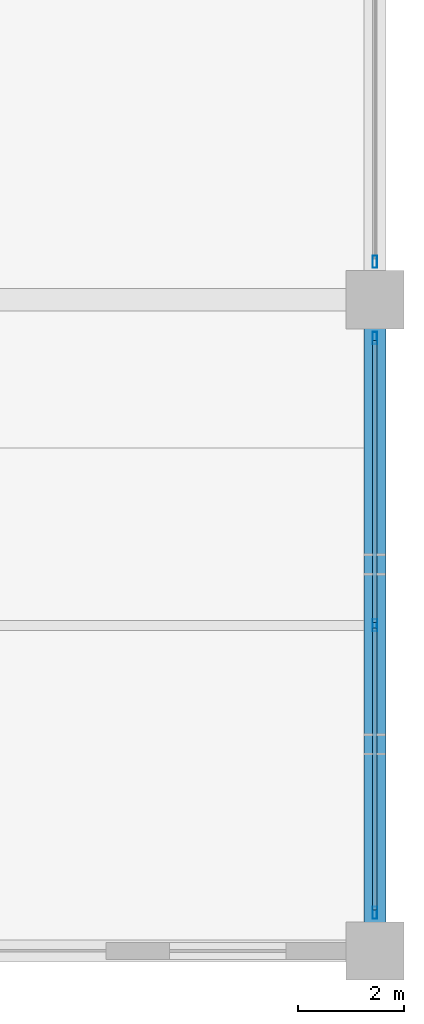
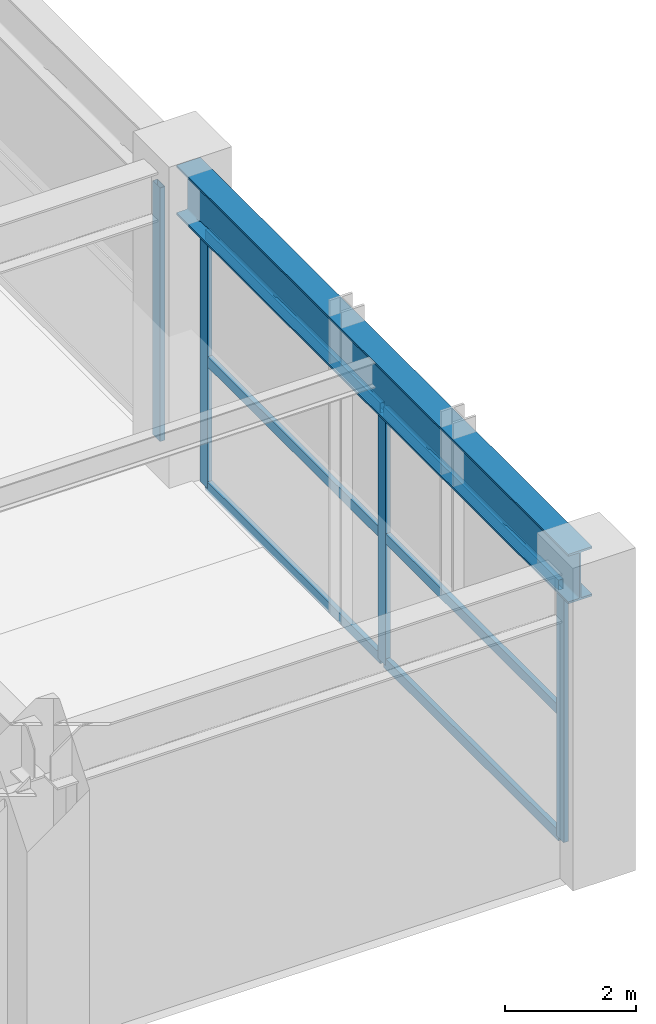
# One storey, part 22 of 41: 10 members, 1 beam, 2 elements without a shape of their own.
"""IFC4 building model written with IfcOpenShell, lengths in metres."""

from ifc_helpers import new_model, si_unit, direction, frame, origin, origin_2d, place, context, subcontext, project, spatial, hollow_rectangle, i_section, extrude, material, material_profile, profile_set, type_object, element, aggregate, save


model = new_model("IFC4")

# Units and contexts
model_context = context("Model", 3, precision=1e-05, world=origin(), true_north=direction((0.0, 1.0)))
body_context = subcontext(model_context, "Body", "Model", "MODEL_VIEW")
ifc_project = project(units=[si_unit("LENGTHUNIT", "METRE"), si_unit("AREAUNIT", "SQUARE_METRE"), si_unit("VOLUMEUNIT", "CUBIC_METRE"), si_unit("PLANEANGLEUNIT", "RADIAN"), si_unit("MASSUNIT", "GRAM", prefix="KILO")], contexts=[model_context])

# Site, building, storey
site_placement = place(None, origin())
site = spatial("IfcSite", under=ifc_project, at=site_placement, CompositionType="ELEMENT")
building_placement = place(site_placement, origin())
building = spatial("IfcBuilding", under=site, at=building_placement, Name="Kovane Verandah Tower", CompositionType="ELEMENT")
storey_placement = place(building_placement, origin())
storey = spatial("IfcBuildingStorey", under=building, at=storey_placement, Name="L00", CompositionType="ELEMENT", Elevation=0.0)

# Beam
ifc_material_1 = material(Name="Steel S460", Category="steel")
ifc_material_profile_1 = material_profile(ifc_material_1, i_section(OverallWidth=0.42041015625, OverallDepth=0.9208984375, WebThickness=0.021484375, FlangeThickness=0.03662109375, FilletRadius=0.024169921875, at=origin_2d()), Name="UB914x419x388")
ifc_profile_set_1 = profile_set([ifc_material_profile_1], Name="Steel S460")
beam_type = type_object("IfcBeamType", Name="BM-UB914x388", PredefinedType="BEAM", material=ifc_profile_set_1)
beam_placement = place(storey_placement, frame((82.0, -1.320068359375, 5.239501953125), z_axis=(0.0, 1.0, 0.0), x_axis=(-1.0, 0.0, 0.0)))
element("IfcBeam", 1, at=beam_placement, inside=storey, type_object=beam_type, Name="L00 Podium Grid Girder Y54", PredefinedType="BEAM", context=body_context, shape_type="SweptSolid", body=[
    extrude(i_section(OverallWidth=0.42041015625, OverallDepth=0.9208984375, WebThickness=0.021484375, FlangeThickness=0.03662109375, FilletRadius=0.024169921875, at=origin_2d()), origin(), (0.0, 0.0, 1.0), 11.940185546875),
])

# Curtain wall, members
ifc_material_2 = material(Name="Champagne Anodised Aluminium Frame with Low-E Clear Laminated Glass", Category="aluminium")
curtain_wall_type = type_object("IfcCurtainWallType", Name="CW-SYS-01-POD", PredefinedType="NOTDEFINED", material=ifc_material_2)
curtain_wall_1_placement = place(storey_placement, origin())
curtain_wall_1 = element("IfcCurtainWall", 2, at=curtain_wall_1_placement, inside=storey, type_object=curtain_wall_type, Name="Ground East Shopfront Curtain Wall Bay 1", PredefinedType="NOTDEFINED")
ifc_material_3 = material(Name="Champagne Anodised Aluminium 6063-T6", Category="aluminium")
ifc_material_profile_2 = material_profile(ifc_material_3, hollow_rectangle(XDim=0.0849609375, YDim=0.22998046875, WallThickness=0.00390625, at=origin_2d()), Name="AL85x230x4")
ifc_profile_set_2 = profile_set([ifc_material_profile_2], Name="Champagne Anodised Aluminium 6063-T6")
member_type_1 = type_object("IfcMemberType", Name="CW-MUL-85x230", PredefinedType="MULLION", material=ifc_profile_set_2)
member_1_placement = place(storey_placement, frame((82.0, -0.780029296875, 0.02001953125), z_axis=(0.0, 0.0, 1.0), x_axis=(1.0, 0.0, 0.0)))
member_1 = element("IfcMember", 3, at=member_1_placement, type_object=member_type_1, Name="Ground East Shopfront Curtain Wall Bay 1 Mullion 1", PredefinedType="MULLION", context=body_context, shape_type="SweptSolid", body=[
    extrude(hollow_rectangle(XDim=0.0849609375, YDim=0.22998046875, WallThickness=0.00390625, at=origin_2d()), origin(), (0.0, 0.0, 1.0), 4.718994140625),
])
member_2_placement = place(storey_placement, frame((82.0, 4.64990234375, 0.02001953125), z_axis=(0.0, 0.0, 1.0), x_axis=(1.0, 0.0, 0.0)))
member_2 = element("IfcMember", 4, at=member_2_placement, type_object=member_type_1, Name="Ground East Shopfront Curtain Wall Bay 1 Mullion 2", PredefinedType="MULLION", context=body_context, shape_type="SweptSolid", body=[
    extrude(hollow_rectangle(XDim=0.0849609375, YDim=0.22998046875, WallThickness=0.00390625, at=origin_2d()), origin(), (0.0, 0.0, 1.0), 4.718994140625),
])
member_3_placement = place(storey_placement, frame((82.0, 10.080078125, 0.02001953125), z_axis=(0.0, 0.0, 1.0), x_axis=(1.0, 0.0, 0.0)))
member_3 = element("IfcMember", 5, at=member_3_placement, type_object=member_type_1, Name="Ground East Shopfront Curtain Wall Bay 1 Mullion 3", PredefinedType="MULLION", context=body_context, shape_type="SweptSolid", body=[
    extrude(hollow_rectangle(XDim=0.0849609375, YDim=0.22998046875, WallThickness=0.00390625, at=origin_2d()), origin(), (0.0, 0.0, 1.0), 4.718994140625),
])

# Curtain wall, member
curtain_wall_2_placement = place(storey_placement, origin())
curtain_wall_2 = element("IfcCurtainWall", 6, at=curtain_wall_2_placement, inside=storey, type_object=curtain_wall_type, Name="Ground East Shopfront Curtain Wall Bay 2", PredefinedType="NOTDEFINED")
member_4_placement = place(storey_placement, frame((82.0, 11.52001953125, 0.02001953125), z_axis=(0.0, 0.0, 1.0), x_axis=(1.0, 0.0, 0.0)))
member_4 = element("IfcMember", 7, at=member_4_placement, type_object=member_type_1, Name="Ground East Shopfront Curtain Wall Bay 2 Mullion 1", PredefinedType="MULLION", context=body_context, shape_type="SweptSolid", body=[
    extrude(hollow_rectangle(XDim=0.0849609375, YDim=0.22998046875, WallThickness=0.00390625, at=origin_2d()), origin(), (0.0, 0.0, 1.0), 4.718994140625),
])
aggregate(curtain_wall_2, [member_4])

# Member
ifc_material_profile_3 = material_profile(ifc_material_3, hollow_rectangle(XDim=0.0849609375, YDim=0.18994140625, WallThickness=0.00390625, at=origin_2d()), Name="AL85x190x4")
ifc_profile_set_3 = profile_set([ifc_material_profile_3], Name="Champagne Anodised Aluminium 6063-T6")
member_type_2 = type_object("IfcMemberType", Name="CW-TRN-85x190", PredefinedType="USERDEFINED", material=ifc_profile_set_3)
member_5_placement = place(storey_placement, frame((82.0, -0.72998046875, 0.050048828125), z_axis=(0.0, 1.0, 0.0), x_axis=(-1.0, 0.0, 0.0)))
member_5 = element("IfcMember", 8, at=member_5_placement, type_object=member_type_2, Name="Ground East Shopfront Curtain Wall Bay 1 Transom TB Bay 1", ObjectType="TRANSOM", PredefinedType="USERDEFINED", context=body_context, shape_type="SweptSolid", body=[
    extrude(hollow_rectangle(XDim=0.0849609375, YDim=0.18994140625, WallThickness=0.00390625, at=origin_2d()), origin(), (0.0, 0.0, 1.0), 5.330078125),
])

member_6_placement = place(storey_placement, frame((82.0, -0.72998046875, 2.37939453125), z_axis=(0.0, 1.0, 0.0), x_axis=(-1.0, 0.0, 0.0)))
member_6 = element("IfcMember", 9, at=member_6_placement, type_object=member_type_2, Name="Ground East Shopfront Curtain Wall Bay 1 Transom TM Bay 1", ObjectType="TRANSOM", PredefinedType="USERDEFINED", context=body_context, shape_type="SweptSolid", body=[
    extrude(hollow_rectangle(XDim=0.0849609375, YDim=0.18994140625, WallThickness=0.00390625, at=origin_2d()), origin(), (0.0, 0.0, 1.0), 5.330078125),
])

member_7_placement = place(storey_placement, frame((82.0, -0.72998046875, 4.708984375), z_axis=(0.0, 1.0, 0.0), x_axis=(-1.0, 0.0, 0.0)))
member_7 = element("IfcMember", 10, at=member_7_placement, type_object=member_type_2, Name="Ground East Shopfront Curtain Wall Bay 1 Transom TT Bay 1", ObjectType="TRANSOM", PredefinedType="USERDEFINED", context=body_context, shape_type="SweptSolid", body=[
    extrude(hollow_rectangle(XDim=0.0849609375, YDim=0.18994140625, WallThickness=0.00390625, at=origin_2d()), origin(), (0.0, 0.0, 1.0), 5.330078125),
])

member_8_placement = place(storey_placement, frame((82.0, 4.699951171875, 0.050048828125), z_axis=(0.0, 1.0, 0.0), x_axis=(-1.0, 0.0, 0.0)))
member_8 = element("IfcMember", 11, at=member_8_placement, type_object=member_type_2, Name="Ground East Shopfront Curtain Wall Bay 1 Transom TB Bay 2", ObjectType="TRANSOM", PredefinedType="USERDEFINED", context=body_context, shape_type="SweptSolid", body=[
    extrude(hollow_rectangle(XDim=0.0849609375, YDim=0.18994140625, WallThickness=0.00390625, at=origin_2d()), origin(), (0.0, 0.0, 1.0), 5.330078125),
])

member_9_placement = place(storey_placement, frame((82.0, 4.699951171875, 2.37939453125), z_axis=(0.0, 1.0, 0.0), x_axis=(-1.0, 0.0, 0.0)))
member_9 = element("IfcMember", 12, at=member_9_placement, type_object=member_type_2, Name="Ground East Shopfront Curtain Wall Bay 1 Transom TM Bay 2", ObjectType="TRANSOM", PredefinedType="USERDEFINED", context=body_context, shape_type="SweptSolid", body=[
    extrude(hollow_rectangle(XDim=0.0849609375, YDim=0.18994140625, WallThickness=0.00390625, at=origin_2d()), origin(), (0.0, 0.0, 1.0), 5.330078125),
])

member_10_placement = place(storey_placement, frame((82.0, 4.699951171875, 4.708984375), z_axis=(0.0, 1.0, 0.0), x_axis=(-1.0, 0.0, 0.0)))
member_10 = element("IfcMember", 13, at=member_10_placement, type_object=member_type_2, Name="Ground East Shopfront Curtain Wall Bay 1 Transom TT Bay 2", ObjectType="TRANSOM", PredefinedType="USERDEFINED", context=body_context, shape_type="SweptSolid", body=[
    extrude(hollow_rectangle(XDim=0.0849609375, YDim=0.18994140625, WallThickness=0.00390625, at=origin_2d()), origin(), (0.0, 0.0, 1.0), 5.330078125),
])

aggregate(curtain_wall_1, [member_1, member_2, member_3, member_5, member_6, member_7, member_8, member_9, member_10])

save(model, "model.ifc")
